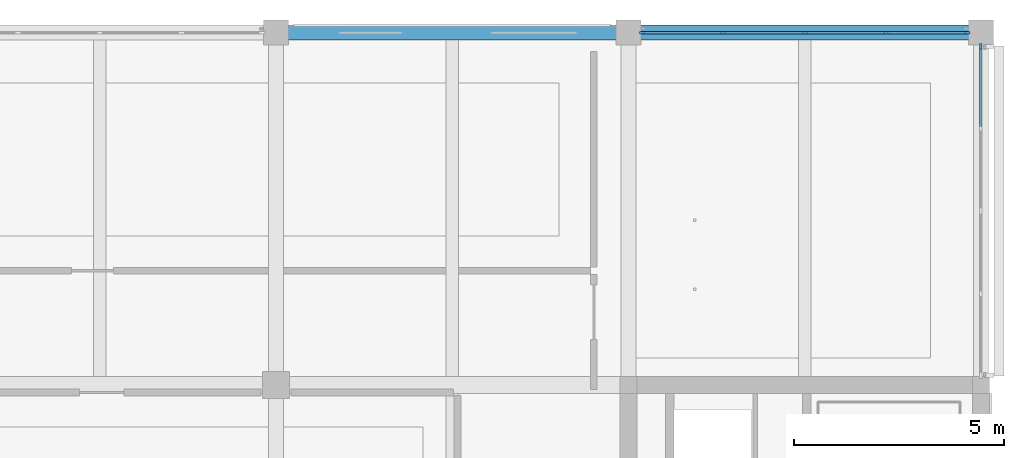
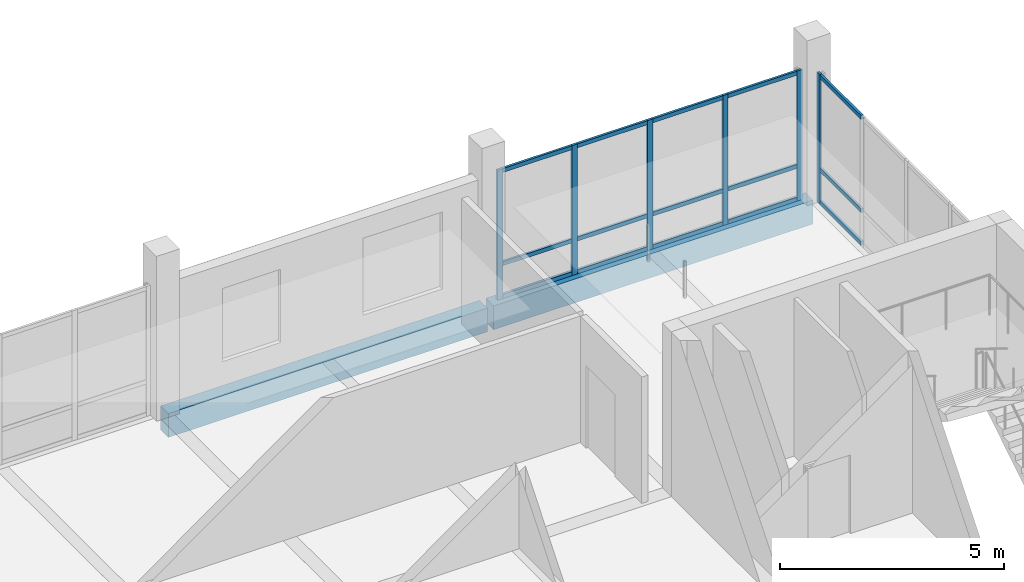
# One storey, part 9 of 29: 21 members, 2 beams, 2 elements without a shape of their own.
"""IFC4 building model written with IfcOpenShell, lengths in metres."""

from ifc_helpers import new_model, si_unit, direction, frame, origin, origin_2d, place, context, subcontext, project, spatial, rectangle, extrude, material, layer, layer_set, material_profile, profile_set, type_object, element, aggregate, save


model = new_model("IFC4")

# Units and contexts
model_context = context("Model", 3, precision=1e-05, world=origin(), true_north=direction((0.0, 1.0)))
body_context = subcontext(model_context, "Body", "Model", "MODEL_VIEW")
ifc_project = project(units=[si_unit("LENGTHUNIT", "METRE"), si_unit("AREAUNIT", "SQUARE_METRE"), si_unit("VOLUMEUNIT", "CUBIC_METRE"), si_unit("PLANEANGLEUNIT", "RADIAN"), si_unit("MASSUNIT", "GRAM", prefix="KILO")], contexts=[model_context])

# Site, building, storey
site_placement = place(None, origin())
site = spatial("IfcSite", under=ifc_project, at=site_placement, CompositionType="ELEMENT")
building_placement = place(site_placement, origin())
building = spatial("IfcBuilding", under=site, at=building_placement, Name="Telukmera Botanical Conservatory", CompositionType="ELEMENT")
storey_placement = place(building_placement, frame((0.0, 0.0, 55.5)))
storey = spatial("IfcBuildingStorey", under=building, at=storey_placement, Name="L12", CompositionType="ELEMENT", Elevation=55.5)

# Beams
ifc_material_1 = material(Name="Precast concrete C40/50", Category="concrete")
ifc_material_profile_1 = material_profile(ifc_material_1, rectangle(XDim=0.35009765625, YDim=0.64990234375, at=origin_2d()), Name="PC 350x650")
ifc_profile_set_1 = profile_set([ifc_material_profile_1], Name="Precast concrete C40/50")
beam_type = type_object("IfcBeamType", Name="Beam_SP3", PredefinedType="SPANDREL", material=ifc_profile_set_1)
for number, where, z_axis, x_axis, name in (
    (1, (84.080078125, 42.800048828125, -0.324951171875), (1.0, 0.0, 0.0), (0.0, 1.0, 0.0), "Tower Grid Beam L12"),
    (2, (92.47998046875, 42.800048828125, -0.324951171875), (1.0, 0.0, 0.0), (0.0, 1.0, 0.0), "Tower Grid Beam L12"),
):
    element("IfcBeam", number, at=place(storey_placement, frame(where, z_axis=z_axis, x_axis=x_axis)), inside=storey, type_object=beam_type, Name=name, PredefinedType="SPANDREL", context=body_context, shape_type="SweptSolid", body=[
        extrude(rectangle(XDim=0.35009765625, YDim=0.64990234375, at=origin_2d()), origin(), (0.0, 0.0, 1.0), 8.239990234375),
    ])

# Curtain wall, members
ifc_material_2 = material(Name="Anodised aluminium 6063-T6", Category="aluminium")
ifc_layer = layer(ifc_material_2, 0.179931640625)
ifc_layer_set = layer_set([ifc_layer], Name="Anodised aluminium 6063-T6")
curtain_wall_type = type_object("IfcCurtainWallType", Name="Tower Research Laboratory Unitised Curtain Wall", PredefinedType="USERDEFINED", material=ifc_layer_set)
curtain_wall_1_placement = place(storey_placement, origin())
curtain_wall_1 = element("IfcCurtainWall", 3, at=curtain_wall_1_placement, inside=storey, type_object=curtain_wall_type, Name="Unitised Curtain Wall CW15 V4:L12:N5", ObjectType="UNITISED CURTAIN WALL", PredefinedType="USERDEFINED")
ifc_material_profile_2 = material_profile(ifc_material_2, rectangle(XDim=0.06005859375, YDim=0.139892578125, at=origin_2d()), Name="ALU MULL 60x140")
ifc_profile_set_2 = profile_set([ifc_material_profile_2], Name="Anodised aluminium 6063-T6")
member_type_1 = type_object("IfcMemberType", Name="Curtain Wall Extruded Mullion 60x140", PredefinedType="MULLION", material=ifc_profile_set_2)
member_1_placement = place(storey_placement, frame((92.73193359375, 42.800048828125, 0.0), z_axis=(0.0, 0.0, 1.0), x_axis=(0.0, 1.0, 0.0)))
member_1 = element("IfcMember", 4, at=member_1_placement, type_object=member_type_1, Name="CW15 mullion 1", PredefinedType="MULLION", context=body_context, shape_type="SweptSolid", body=[
    extrude(rectangle(XDim=0.06005859375, YDim=0.139892578125, at=origin_2d()), origin(), (0.0, 0.0, 1.0), 3.550048828125),
])
member_2_placement = place(storey_placement, frame((94.65087890625, 42.800048828125, 0.0), z_axis=(0.0, 0.0, 1.0), x_axis=(0.0, 1.0, 0.0)))
member_2 = element("IfcMember", 5, at=member_2_placement, type_object=member_type_1, Name="CW15 mullion 2", PredefinedType="MULLION", context=body_context, shape_type="SweptSolid", body=[
    extrude(rectangle(XDim=0.06005859375, YDim=0.139892578125, at=origin_2d()), origin(), (0.0, 0.0, 1.0), 3.550048828125),
])
member_3_placement = place(storey_placement, frame((96.60009765625, 42.800048828125, 0.0), z_axis=(0.0, 0.0, 1.0), x_axis=(0.0, 1.0, 0.0)))
member_3 = element("IfcMember", 6, at=member_3_placement, type_object=member_type_1, Name="CW15 mullion 3", PredefinedType="MULLION", context=body_context, shape_type="SweptSolid", body=[
    extrude(rectangle(XDim=0.06005859375, YDim=0.139892578125, at=origin_2d()), origin(), (0.0, 0.0, 1.0), 3.550048828125),
])
member_4_placement = place(storey_placement, frame((98.549072265625, 42.800048828125, 0.0), z_axis=(0.0, 0.0, 1.0), x_axis=(0.0, 1.0, 0.0)))
member_4 = element("IfcMember", 7, at=member_4_placement, type_object=member_type_1, Name="CW15 mullion 4", PredefinedType="MULLION", context=body_context, shape_type="SweptSolid", body=[
    extrude(rectangle(XDim=0.06005859375, YDim=0.139892578125, at=origin_2d()), origin(), (0.0, 0.0, 1.0), 3.550048828125),
])
member_5_placement = place(storey_placement, frame((100.468017578125, 42.800048828125, 0.0), z_axis=(0.0, 0.0, 1.0), x_axis=(0.0, 1.0, 0.0)))
member_5 = element("IfcMember", 8, at=member_5_placement, type_object=member_type_1, Name="CW15 mullion 5", PredefinedType="MULLION", context=body_context, shape_type="SweptSolid", body=[
    extrude(rectangle(XDim=0.06005859375, YDim=0.139892578125, at=origin_2d()), origin(), (0.0, 0.0, 1.0), 3.550048828125),
])

# Curtain wall, member
curtain_wall_2_placement = place(storey_placement, origin())
curtain_wall_2 = element("IfcCurtainWall", 9, at=curtain_wall_2_placement, inside=storey, type_object=curtain_wall_type, Name="Unitised Curtain Wall CW15 V4:L12:E4", ObjectType="UNITISED CURTAIN WALL", PredefinedType="USERDEFINED")
member_6_placement = place(storey_placement, frame((100.800048828125, 42.468017578125, 0.0), z_axis=(0.0, 0.0, 1.0), x_axis=(-1.0, 0.0, 0.0)))
member_6 = element("IfcMember", 10, at=member_6_placement, type_object=member_type_1, Name="CW15 mullion 5", PredefinedType="MULLION", context=body_context, shape_type="SweptSolid", body=[
    extrude(rectangle(XDim=0.06005859375, YDim=0.139892578125, at=origin_2d()), origin(), (0.0, 0.0, 1.0), 3.550048828125),
])

# Member
ifc_material_profile_3 = material_profile(ifc_material_2, rectangle(XDim=0.06005859375, YDim=0.110107421875, at=origin_2d()), Name="ALU TRAN 60x110")
ifc_profile_set_3 = profile_set([ifc_material_profile_3], Name="Anodised aluminium 6063-T6")
member_type_2 = type_object("IfcMemberType", Name="Curtain Wall Extruded Transom 60x110", PredefinedType="USERDEFINED", material=ifc_profile_set_3)
member_7_placement = place(storey_placement, frame((92.761962890625, 42.800048828125, 0.054931640625), z_axis=(1.0, 0.0, 0.0), x_axis=(0.0, 1.0, 0.0)))
member_7 = element("IfcMember", 11, at=member_7_placement, type_object=member_type_2, Name="CW15 transom 1.1", ObjectType="TRANSOM", PredefinedType="USERDEFINED", context=body_context, shape_type="SweptSolid", body=[
    extrude(rectangle(XDim=0.06005859375, YDim=0.110107421875, at=origin_2d()), origin(), (0.0, 0.0, 1.0), 1.859130859375),
])

member_8_placement = place(storey_placement, frame((92.761962890625, 42.800048828125, 0.949951171875), z_axis=(1.0, 0.0, 0.0), x_axis=(0.0, 1.0, 0.0)))
member_8 = element("IfcMember", 12, at=member_8_placement, type_object=member_type_2, Name="CW15 transom 1.2", ObjectType="TRANSOM", PredefinedType="USERDEFINED", context=body_context, shape_type="SweptSolid", body=[
    extrude(rectangle(XDim=0.06005859375, YDim=0.110107421875, at=origin_2d()), origin(), (0.0, 0.0, 1.0), 1.859130859375),
])

member_9_placement = place(storey_placement, frame((92.761962890625, 42.800048828125, 3.4951171875), z_axis=(1.0, 0.0, 0.0), x_axis=(0.0, 1.0, 0.0)))
member_9 = element("IfcMember", 13, at=member_9_placement, type_object=member_type_2, Name="CW15 transom 1.3", ObjectType="TRANSOM", PredefinedType="USERDEFINED", context=body_context, shape_type="SweptSolid", body=[
    extrude(rectangle(XDim=0.06005859375, YDim=0.110107421875, at=origin_2d()), origin(), (0.0, 0.0, 1.0), 1.859130859375),
])

member_10_placement = place(storey_placement, frame((94.680908203125, 42.800048828125, 0.054931640625), z_axis=(1.0, 0.0, 0.0), x_axis=(0.0, 1.0, 0.0)))
member_10 = element("IfcMember", 14, at=member_10_placement, type_object=member_type_2, Name="CW15 transom 2.1", ObjectType="TRANSOM", PredefinedType="USERDEFINED", context=body_context, shape_type="SweptSolid", body=[
    extrude(rectangle(XDim=0.06005859375, YDim=0.110107421875, at=origin_2d()), origin(), (0.0, 0.0, 1.0), 1.88916015625),
])

member_11_placement = place(storey_placement, frame((94.680908203125, 42.800048828125, 0.949951171875), z_axis=(1.0, 0.0, 0.0), x_axis=(0.0, 1.0, 0.0)))
member_11 = element("IfcMember", 15, at=member_11_placement, type_object=member_type_2, Name="CW15 transom 2.2", ObjectType="TRANSOM", PredefinedType="USERDEFINED", context=body_context, shape_type="SweptSolid", body=[
    extrude(rectangle(XDim=0.06005859375, YDim=0.110107421875, at=origin_2d()), origin(), (0.0, 0.0, 1.0), 1.88916015625),
])

member_12_placement = place(storey_placement, frame((94.680908203125, 42.800048828125, 3.4951171875), z_axis=(1.0, 0.0, 0.0), x_axis=(0.0, 1.0, 0.0)))
member_12 = element("IfcMember", 16, at=member_12_placement, type_object=member_type_2, Name="CW15 transom 2.3", ObjectType="TRANSOM", PredefinedType="USERDEFINED", context=body_context, shape_type="SweptSolid", body=[
    extrude(rectangle(XDim=0.06005859375, YDim=0.110107421875, at=origin_2d()), origin(), (0.0, 0.0, 1.0), 1.88916015625),
])

member_13_placement = place(storey_placement, frame((96.6298828125, 42.800048828125, 0.054931640625), z_axis=(1.0, 0.0, 0.0), x_axis=(0.0, 1.0, 0.0)))
member_13 = element("IfcMember", 17, at=member_13_placement, type_object=member_type_2, Name="CW15 transom 3.1", ObjectType="TRANSOM", PredefinedType="USERDEFINED", context=body_context, shape_type="SweptSolid", body=[
    extrude(rectangle(XDim=0.06005859375, YDim=0.110107421875, at=origin_2d()), origin(), (0.0, 0.0, 1.0), 1.88916015625),
])

member_14_placement = place(storey_placement, frame((96.6298828125, 42.800048828125, 0.949951171875), z_axis=(1.0, 0.0, 0.0), x_axis=(0.0, 1.0, 0.0)))
member_14 = element("IfcMember", 18, at=member_14_placement, type_object=member_type_2, Name="CW15 transom 3.2", ObjectType="TRANSOM", PredefinedType="USERDEFINED", context=body_context, shape_type="SweptSolid", body=[
    extrude(rectangle(XDim=0.06005859375, YDim=0.110107421875, at=origin_2d()), origin(), (0.0, 0.0, 1.0), 1.88916015625),
])

member_15_placement = place(storey_placement, frame((96.6298828125, 42.800048828125, 3.4951171875), z_axis=(1.0, 0.0, 0.0), x_axis=(0.0, 1.0, 0.0)))
member_15 = element("IfcMember", 19, at=member_15_placement, type_object=member_type_2, Name="CW15 transom 3.3", ObjectType="TRANSOM", PredefinedType="USERDEFINED", context=body_context, shape_type="SweptSolid", body=[
    extrude(rectangle(XDim=0.06005859375, YDim=0.110107421875, at=origin_2d()), origin(), (0.0, 0.0, 1.0), 1.88916015625),
])

member_16_placement = place(storey_placement, frame((98.5791015625, 42.800048828125, 0.054931640625), z_axis=(1.0, 0.0, 0.0), x_axis=(0.0, 1.0, 0.0)))
member_16 = element("IfcMember", 20, at=member_16_placement, type_object=member_type_2, Name="CW15 transom 4.1", ObjectType="TRANSOM", PredefinedType="USERDEFINED", context=body_context, shape_type="SweptSolid", body=[
    extrude(rectangle(XDim=0.06005859375, YDim=0.110107421875, at=origin_2d()), origin(), (0.0, 0.0, 1.0), 1.85888671875),
])

member_17_placement = place(storey_placement, frame((98.5791015625, 42.800048828125, 0.949951171875), z_axis=(1.0, 0.0, 0.0), x_axis=(0.0, 1.0, 0.0)))
member_17 = element("IfcMember", 21, at=member_17_placement, type_object=member_type_2, Name="CW15 transom 4.2", ObjectType="TRANSOM", PredefinedType="USERDEFINED", context=body_context, shape_type="SweptSolid", body=[
    extrude(rectangle(XDim=0.06005859375, YDim=0.110107421875, at=origin_2d()), origin(), (0.0, 0.0, 1.0), 1.85888671875),
])

member_18_placement = place(storey_placement, frame((98.5791015625, 42.800048828125, 3.4951171875), z_axis=(1.0, 0.0, 0.0), x_axis=(0.0, 1.0, 0.0)))
member_18 = element("IfcMember", 22, at=member_18_placement, type_object=member_type_2, Name="CW15 transom 4.3", ObjectType="TRANSOM", PredefinedType="USERDEFINED", context=body_context, shape_type="SweptSolid", body=[
    extrude(rectangle(XDim=0.06005859375, YDim=0.110107421875, at=origin_2d()), origin(), (0.0, 0.0, 1.0), 1.85888671875),
])

aggregate(curtain_wall_1, [member_1, member_2, member_3, member_4, member_5, member_7, member_8, member_9, member_10, member_11, member_12, member_13, member_14, member_15, member_16, member_17, member_18])

member_19_placement = place(storey_placement, frame((100.800048828125, 40.553955078125, 0.054931640625), z_axis=(0.0, 1.0, 0.0), x_axis=(-1.0, 0.0, 0.0)))
member_19 = element("IfcMember", 23, at=member_19_placement, type_object=member_type_2, Name="CW15 transom 4.1", ObjectType="TRANSOM", PredefinedType="USERDEFINED", context=body_context, shape_type="SweptSolid", body=[
    extrude(rectangle(XDim=0.06005859375, YDim=0.110107421875, at=origin_2d()), origin(), (0.0, 0.0, 1.0), 1.884033203125),
])

member_20_placement = place(storey_placement, frame((100.800048828125, 40.553955078125, 0.949951171875), z_axis=(0.0, 1.0, 0.0), x_axis=(-1.0, 0.0, 0.0)))
member_20 = element("IfcMember", 24, at=member_20_placement, type_object=member_type_2, Name="CW15 transom 4.2", ObjectType="TRANSOM", PredefinedType="USERDEFINED", context=body_context, shape_type="SweptSolid", body=[
    extrude(rectangle(XDim=0.06005859375, YDim=0.110107421875, at=origin_2d()), origin(), (0.0, 0.0, 1.0), 1.884033203125),
])

member_21_placement = place(storey_placement, frame((100.800048828125, 40.553955078125, 3.4951171875), z_axis=(0.0, 1.0, 0.0), x_axis=(-1.0, 0.0, 0.0)))
member_21 = element("IfcMember", 25, at=member_21_placement, type_object=member_type_2, Name="CW15 transom 4.3", ObjectType="TRANSOM", PredefinedType="USERDEFINED", context=body_context, shape_type="SweptSolid", body=[
    extrude(rectangle(XDim=0.06005859375, YDim=0.110107421875, at=origin_2d()), origin(), (0.0, 0.0, 1.0), 1.884033203125),
])

aggregate(curtain_wall_2, [member_6, member_19, member_20, member_21])

save(model, "model.ifc")
